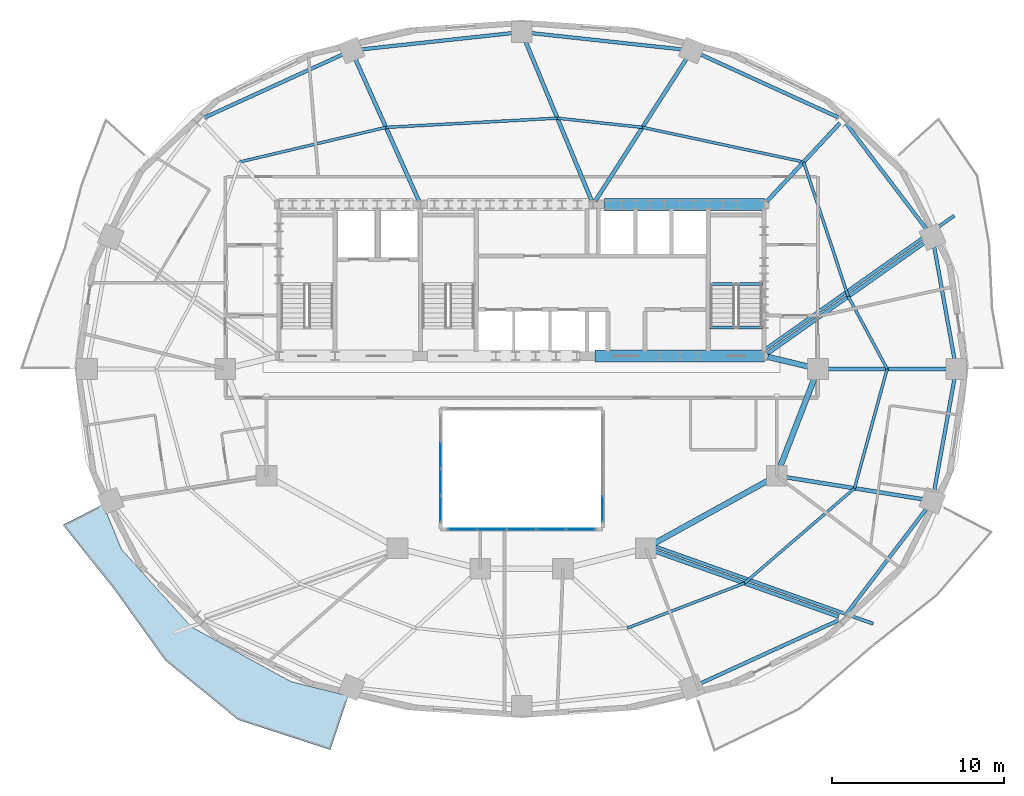
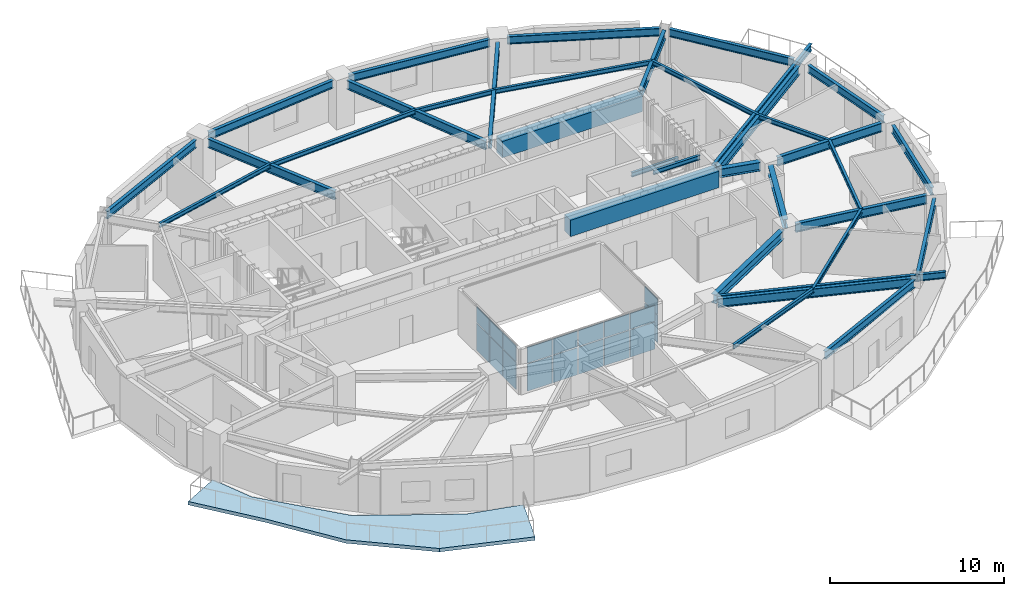
# One storey, part 4 of 12: 35 beams, 18 plates, 1 slab, 3 elements without a shape of their own.
"""IFC4 building model written with IfcOpenShell, lengths in metres."""

from ifc_helpers import new_model, si_unit, direction, frame, origin, origin_2d, place, context, subcontext, project, spatial, polyline, rectangle, i_section, outline, extrude, material, layer, layer_set, material_profile, profile_set, type_object, element, aggregate, save


model = new_model("IFC4")

# Units and contexts
model_context = context("Model", 3, precision=1e-05, world=origin(), true_north=direction((0.0, 1.0)))
body_context = subcontext(model_context, "Body", "Model", "MODEL_VIEW")
ifc_project = project(units=[si_unit("LENGTHUNIT", "METRE"), si_unit("AREAUNIT", "SQUARE_METRE"), si_unit("VOLUMEUNIT", "CUBIC_METRE"), si_unit("PLANEANGLEUNIT", "RADIAN"), si_unit("MASSUNIT", "GRAM", prefix="KILO")], contexts=[model_context])

# Site, building, storey
site_placement = place(None, origin())
site = spatial("IfcSite", under=ifc_project, at=site_placement, CompositionType="ELEMENT")
building_placement = place(site_placement, origin())
building = spatial("IfcBuilding", under=site, at=building_placement, Name="Haldorwick Loom Tower", CompositionType="ELEMENT")
storey_placement = place(building_placement, frame((0.0, 0.0, 161.35009765625)))
storey = spatial("IfcBuildingStorey", under=building, at=storey_placement, Name="L43", CompositionType="ELEMENT", Elevation=161.35009765625)

# Beams
ifc_material_1 = material(Name="Steel CSA G40.21 350W", Category="steel")
ifc_material_profile_1 = material_profile(ifc_material_1, i_section(OverallWidth=0.193115234375, OverallDepth=0.466064453125, WebThickness=0.011474609375, FlangeThickness=0.01904296875, at=origin_2d()), Name="W460X97", Category="steel")
ifc_profile_set_1 = profile_set([ifc_material_profile_1], Name="Steel CSA G40.21 350W")
beam_type_1 = type_object("IfcBeamType", Name="STR-BM-BAL460", PredefinedType="BEAM", material=ifc_profile_set_1)
beam_1_placement = place(storey_placement, frame((43.78369140625, 15.68994140625, 2.976806640625), z_axis=(0.942447955832, -0.334352883266, 0.0), x_axis=(0.334352883266, 0.942447955832, 0.0)))
element("IfcBeam", 1, at=beam_1_placement, inside=storey, type_object=beam_type_1, Name="L43 Continuous Back-Spanned Balcony Beam 1", PredefinedType="BEAM", context=body_context, shape_type="SweptSolid", body=[
    extrude(i_section(OverallWidth=0.193115234375, OverallDepth=0.466064453125, WebThickness=0.011474609375, FlangeThickness=0.01904296875, at=origin_2d()), origin(), (0.0, 0.0, 1.0), 13.385009765625),
])
beam_2_placement = place(storey_placement, frame((50.092041015625, 27.1083984375, 2.976806640625), z_axis=(0.816570288691, 0.577246016554, 0.0), x_axis=(-0.577246016554, 0.816570288691, 0.0)))
element("IfcBeam", 2, at=beam_2_placement, inside=storey, type_object=beam_type_1, Name="L43 Continuous Back-Spanned Balcony Beam 4", PredefinedType="BEAM", context=body_context, shape_type="SweptSolid", body=[
    extrude(i_section(OverallWidth=0.193115234375, OverallDepth=0.466064453125, WebThickness=0.011474609375, FlangeThickness=0.01904296875, at=origin_2d()), origin(), (0.0, 0.0, 1.0), 13.485107421875),
])
ifc_material_2 = material(Name="Concrete C60 (60 MPa)", Category="concrete")
ifc_material_profile_2 = material_profile(ifc_material_2, rectangle(XDim=0.699951171875, YDim=1.14990234375, at=origin_2d()), Name="RC700X1150", Category="concrete")
ifc_profile_set_2 = profile_set([ifc_material_profile_2], Name="Concrete C60 (60 MPa)")
beam_type_2 = type_object("IfcBeamType", Name="STR-BM-CB1150", PredefinedType="LINTEL", material=ifc_profile_set_2)
beam_3_placement = place(storey_placement, frame((40.800048828125, 35.550048828125, 2.635009765625), z_axis=(1.0, 0.0, 0.0), x_axis=(0.0, 1.0, 0.0)))
element("IfcBeam", 3, at=beam_3_placement, inside=storey, type_object=beam_type_2, Name="L43 Core Coupling Beam CB-N3", PredefinedType="LINTEL", context=body_context, shape_type="SweptSolid", body=[
    extrude(rectangle(XDim=0.699951171875, YDim=1.14990234375, at=origin_2d()), origin(), (0.0, 0.0, 1.0), 9.300048828125),
])
beam_4_placement = place(storey_placement, frame((40.25, 26.75, 2.635009765625), z_axis=(1.0, 0.0, 0.0), x_axis=(0.0, 1.0, 0.0)))
element("IfcBeam", 4, at=beam_4_placement, inside=storey, type_object=beam_type_2, Name="L43 Core Coupling Beam CB-S3", PredefinedType="LINTEL", context=body_context, shape_type="SweptSolid", body=[
    extrude(rectangle(XDim=0.699951171875, YDim=1.14990234375, at=origin_2d()), origin(), (0.0, 0.0, 1.0), 9.85009765625),
])
ifc_material_profile_3 = material_profile(ifc_material_1, i_section(OverallWidth=0.166015625, OverallDepth=0.31298828125, WebThickness=0.006591796875, FlangeThickness=0.01123046875, at=origin_2d()), Name="W310X45", Category="steel")
ifc_profile_set_3 = profile_set([ifc_material_profile_3], Name="Steel CSA G40.21 350W")
beam_type_3 = type_object("IfcBeamType", Name="STR-BM-J310", PredefinedType="JOIST", material=ifc_profile_set_3)
beam_5_placement = place(storey_placement, frame((57.20849609375, 26.0, 3.053466796875), z_axis=(-0.472930162238, 0.881099915813, 0.0), x_axis=(-0.881099915813, -0.472930162238, 0.0)))
element("IfcBeam", 5, at=beam_5_placement, inside=storey, type_object=beam_type_3, Name="L43 Mid-Bay Secondary Joist 1", PredefinedType="JOIST", context=body_context, shape_type="SweptSolid", body=[
    extrude(i_section(OverallWidth=0.166015625, OverallDepth=0.31298828125, WebThickness=0.006591796875, FlangeThickness=0.01123046875, at=origin_2d()), origin(), (0.0, 0.0, 1.0), 4.76904296875),
])
beam_6_placement = place(storey_placement, frame((54.953125, 30.201904296875, 3.053466796875), z_axis=(-0.314980632705, 0.949098098734, 0.0), x_axis=(-0.949098098734, -0.314980632705, 0.0)))
element("IfcBeam", 6, at=beam_6_placement, inside=storey, type_object=beam_type_3, Name="L43 Mid-Bay Secondary Joist 2", PredefinedType="JOIST", context=body_context, shape_type="SweptSolid", body=[
    extrude(i_section(OverallWidth=0.166015625, OverallDepth=0.31298828125, WebThickness=0.006591796875, FlangeThickness=0.01123046875, at=origin_2d()), origin(), (0.0, 0.0, 1.0), 8.223876953125),
])
beam_7_placement = place(storey_placement, frame((52.36279296875, 38.007080078125, 3.053466796875), z_axis=(-0.977737366421, 0.209832414808, 0.0), x_axis=(-0.209832414808, -0.977737366421, 0.0)))
element("IfcBeam", 7, at=beam_7_placement, inside=storey, type_object=beam_type_3, Name="L43 Mid-Bay Secondary Joist 3", PredefinedType="JOIST", context=body_context, shape_type="SweptSolid", body=[
    extrude(i_section(OverallWidth=0.166015625, OverallDepth=0.31298828125, WebThickness=0.006591796875, FlangeThickness=0.01123046875, at=origin_2d()), origin(), (0.0, 0.0, 1.0), 9.56396484375),
])
beam_8_placement = place(storey_placement, frame((43.01171875, 40.013916015625, 3.053466796875), z_axis=(-0.994212584227, 0.107430616514, 0.0), x_axis=(-0.107430616514, -0.994212584227, 0.0)))
element("IfcBeam", 8, at=beam_8_placement, inside=storey, type_object=beam_type_3, Name="L43 Mid-Bay Secondary Joist 4", PredefinedType="JOIST", context=body_context, shape_type="SweptSolid", body=[
    extrude(i_section(OverallWidth=0.166015625, OverallDepth=0.31298828125, WebThickness=0.006591796875, FlangeThickness=0.01123046875, at=origin_2d()), origin(), (0.0, 0.0, 1.0), 4.965576171875),
])
beam_9_placement = place(storey_placement, frame((38.074951171875, 40.54736328125, 3.053466796875), z_axis=(-0.998564927415, -0.053554511828, 0.0), x_axis=(0.053554511828, -0.998564927415, 0.0)))
element("IfcBeam", 9, at=beam_9_placement, inside=storey, type_object=beam_type_3, Name="L43 Mid-Bay Secondary Joist 5", PredefinedType="JOIST", context=body_context, shape_type="SweptSolid", body=[
    extrude(i_section(OverallWidth=0.166015625, OverallDepth=0.31298828125, WebThickness=0.006591796875, FlangeThickness=0.01123046875, at=origin_2d()), origin(), (0.0, 0.0, 1.0), 9.9609375),
])
beam_10_placement = place(storey_placement, frame((28.12841796875, 40.013916015625, 3.053466796875), z_axis=(-0.973189168086, -0.230006180612, 0.0), x_axis=(0.230006180612, -0.973189168086, 0.0)))
element("IfcBeam", 10, at=beam_10_placement, inside=storey, type_object=beam_type_3, Name="L43 Mid-Bay Secondary Joist 6", PredefinedType="JOIST", context=body_context, shape_type="SweptSolid", body=[
    extrude(i_section(OverallWidth=0.166015625, OverallDepth=0.31298828125, WebThickness=0.006591796875, FlangeThickness=0.01123046875, at=origin_2d()), origin(), (0.0, 0.0, 1.0), 8.72509765625),
])
beam_11_placement = place(storey_placement, frame((42.13671875, 10.961181640625, 3.053466796875), z_axis=(0.933586737031, 0.358351509609, 0.0), x_axis=(-0.358351509609, 0.933586737031, 0.0)))
element("IfcBeam", 11, at=beam_11_placement, inside=storey, type_object=beam_type_3, Name="L43 Mid-Bay Secondary Joist 14", PredefinedType="JOIST", context=body_context, shape_type="SweptSolid", body=[
    extrude(i_section(OverallWidth=0.166015625, OverallDepth=0.31298828125, WebThickness=0.006591796875, FlangeThickness=0.01123046875, at=origin_2d()), origin(), (0.0, 0.0, 1.0), 7.274169921875),
])
beam_12_placement = place(storey_placement, frame((48.927734375, 13.56787109375, 3.053466796875), z_axis=(0.75763401328, 0.652679631918, 0.0), x_axis=(-0.652679631918, 0.75763401328, 0.0)))
element("IfcBeam", 12, at=beam_12_placement, inside=storey, type_object=beam_type_3, Name="L43 Mid-Bay Secondary Joist 15", PredefinedType="JOIST", context=body_context, shape_type="SweptSolid", body=[
    extrude(i_section(OverallWidth=0.166015625, OverallDepth=0.31298828125, WebThickness=0.006591796875, FlangeThickness=0.01123046875, at=origin_2d()), origin(), (0.0, 0.0, 1.0), 8.4345703125),
])
beam_13_placement = place(storey_placement, frame((55.318115234375, 19.072998046875, 3.053466796875), z_axis=(0.263272762578, 0.964721437766, 0.0), x_axis=(-0.964721437766, 0.263272762578, 0.0)))
element("IfcBeam", 13, at=beam_13_placement, inside=storey, type_object=beam_type_3, Name="L43 Mid-Bay Secondary Joist 16", PredefinedType="JOIST", context=body_context, shape_type="SweptSolid", body=[
    extrude(i_section(OverallWidth=0.166015625, OverallDepth=0.31298828125, WebThickness=0.006591796875, FlangeThickness=0.01123046875, at=origin_2d()), origin(), (0.0, 0.0, 1.0), 7.180419921875),
])
ifc_material_profile_4 = material_profile(ifc_material_1, i_section(OverallWidth=0.2119140625, OverallDepth=0.5439453125, WebThickness=0.01318359375, FlangeThickness=0.021240234375, at=origin_2d()), Name="W530X123", Category="steel")
ifc_profile_set_4 = profile_set([ifc_material_profile_4], Name="Steel CSA G40.21 350W")
beam_type_4 = type_object("IfcBeamType", Name="STR-BM-SP530", PredefinedType="SPANDREL", material=ifc_profile_set_4)
beam_14_placement = place(storey_placement, frame((61.124755859375, 26.51171875, 2.93798828125), z_axis=(-0.177558730702, 0.984110205796, 0.0), x_axis=(-0.984110205796, -0.177558730702, 0.0)))
element("IfcBeam", 14, at=beam_14_placement, inside=storey, type_object=beam_type_4, Name="L43 Perimeter Spandrel 1", PredefinedType="SPANDREL", context=body_context, shape_type="SweptSolid", body=[
    extrude(i_section(OverallWidth=0.2119140625, OverallDepth=0.5439453125, WebThickness=0.01318359375, FlangeThickness=0.021240234375, at=origin_2d()), origin(), (0.0, 0.0, 1.0), 6.737548828125),
])
beam_15_placement = place(storey_placement, frame((59.521240234375, 34.067626953125, 2.93798828125), z_axis=(-0.605421356486, 0.795905133236, 0.0), x_axis=(-0.795905133236, -0.605421356486, 0.0)))
element("IfcBeam", 15, at=beam_15_placement, inside=storey, type_object=beam_type_4, Name="L43 Perimeter Spandrel 2", PredefinedType="SPANDREL", context=body_context, shape_type="SweptSolid", body=[
    extrude(i_section(OverallWidth=0.2119140625, OverallDepth=0.5439453125, WebThickness=0.01318359375, FlangeThickness=0.021240234375, at=origin_2d()), origin(), (0.0, 0.0, 1.0), 7.761962890625),
])
beam_16_placement = place(storey_placement, frame((54.405517578125, 40.57861328125, 2.93798828125), z_axis=(-0.909534296496, 0.415628877121, 0.0), x_axis=(-0.415628877121, -0.909534296496, 0.0)))
element("IfcBeam", 16, at=beam_16_placement, inside=storey, type_object=beam_type_4, Name="L43 Perimeter Spandrel 3", PredefinedType="SPANDREL", context=body_context, shape_type="SweptSolid", body=[
    extrude(i_section(OverallWidth=0.2119140625, OverallDepth=0.5439453125, WebThickness=0.01318359375, FlangeThickness=0.021240234375, at=origin_2d()), origin(), (0.0, 0.0, 1.0), 8.86083984375),
])
for number, where, z_axis, x_axis, name in (
    (17, (45.356201171875, 44.533447265625, 2.93798828125), (-0.994210140187, 0.107453232386, 0.0), (-0.107453232386, -0.994210140187, 0.0), "L43 Perimeter Spandrel 4"),
    (18, (35.48291015625, 45.48876953125, 2.93798828125), (-0.994210140187, -0.107453232386, 0.0), (0.107453232386, -0.994210140187, 0.0), "L43 Perimeter Spandrel 5"),
):
    element("IfcBeam", number, at=place(storey_placement, frame(where, z_axis=z_axis, x_axis=x_axis)), inside=storey, type_object=beam_type_4, Name=name, PredefinedType="SPANDREL", context=body_context, shape_type="SweptSolid", body=[
        extrude(i_section(OverallWidth=0.2119140625, OverallDepth=0.5439453125, WebThickness=0.01318359375, FlangeThickness=0.021240234375, at=origin_2d()), origin(), (0.0, 0.0, 1.0), 8.890625),
    ])
for number, where, z_axis, x_axis, name in (
    (19, (25.65380859375, 44.261474609375, 2.93798828125), (-0.909534296496, -0.415628877121, 0.0), (0.415628877121, -0.909534296496, 0.0), "L43 Perimeter Spandrel 6"),
    (20, (46.34619140625, 7.738525390625, 2.93798828125), (0.909534296496, 0.415628877121, 0.0), (-0.415628877121, 0.909534296496, 0.0), "L43 Perimeter Spandrel 14"),
):
    element("IfcBeam", number, at=place(storey_placement, frame(where, z_axis=z_axis, x_axis=x_axis)), inside=storey, type_object=beam_type_4, Name=name, PredefinedType="SPANDREL", context=body_context, shape_type="SweptSolid", body=[
        extrude(i_section(OverallWidth=0.2119140625, OverallDepth=0.5439453125, WebThickness=0.01318359375, FlangeThickness=0.021240234375, at=origin_2d()), origin(), (0.0, 0.0, 1.0), 8.86083984375),
    ])
beam_17_placement = place(storey_placement, frame((54.822021484375, 11.754638671875, 2.93798828125), z_axis=(0.605421356486, 0.795905133236, 0.0), x_axis=(-0.795905133236, 0.605421356486, 0.0)))
element("IfcBeam", 21, at=beam_17_placement, inside=storey, type_object=beam_type_4, Name="L43 Perimeter Spandrel 15", PredefinedType="SPANDREL", context=body_context, shape_type="SweptSolid", body=[
    extrude(i_section(OverallWidth=0.2119140625, OverallDepth=0.5439453125, WebThickness=0.01318359375, FlangeThickness=0.021240234375, at=origin_2d()), origin(), (0.0, 0.0, 1.0), 7.761962890625),
])
beam_18_placement = place(storey_placement, frame((59.928466796875, 18.85791015625, 2.93798828125), z_axis=(0.177558730702, 0.984110205796, 0.0), x_axis=(-0.984110205796, 0.177558730702, 0.0)))
element("IfcBeam", 22, at=beam_18_placement, inside=storey, type_object=beam_type_4, Name="L43 Perimeter Spandrel 16", PredefinedType="SPANDREL", context=body_context, shape_type="SweptSolid", body=[
    extrude(i_section(OverallWidth=0.2119140625, OverallDepth=0.5439453125, WebThickness=0.01318359375, FlangeThickness=0.021240234375, at=origin_2d()), origin(), (0.0, 0.0, 1.0), 6.737548828125),
])
ifc_material_profile_5 = material_profile(ifc_material_1, i_section(OverallWidth=0.166015625, OverallDepth=0.31298828125, WebThickness=0.006591796875, FlangeThickness=0.01123046875, at=origin_2d()), Name="W310X45", Category="steel")
ifc_profile_set_5 = profile_set([ifc_material_profile_5], Name="Steel CSA G40.21 350W")
beam_type_5 = type_object("IfcBeamType", Name="STR-BM-STRM", PredefinedType="BEAM", material=ifc_profile_set_5)
for number, where, z_axis, x_axis, name in (
    (23, (46.889892578125, 28.39990234375, 3.053466796875), (1.0, 0.0, 0.0), (0.0, 1.0, 0.0), "L43 Stair ST-02 Landing Edge Trimmer"),
    (24, (46.889892578125, 30.919921875, 1.368408203125), (1.0, 0.0, 0.0), (0.0, 1.0, 0.0), "L43 Stair ST-02 Half-Landing Trimmer 1"),
):
    element("IfcBeam", number, at=place(storey_placement, frame(where, z_axis=z_axis, x_axis=x_axis)), inside=storey, type_object=beam_type_5, Name=name, PredefinedType="BEAM", context=body_context, shape_type="SweptSolid", body=[
        extrude(i_section(OverallWidth=0.166015625, OverallDepth=0.31298828125, WebThickness=0.006591796875, FlangeThickness=0.01123046875, at=origin_2d()), origin(), (0.0, 0.0, 1.0), 3.1201171875),
    ])
ifc_material_profile_6 = material_profile(ifc_material_1, i_section(OverallWidth=0.324951171875, OverallDepth=0.615966796875, WebThickness=0.013916015625, FlangeThickness=0.021484375, at=origin_2d()), Name="W610X174", Category="steel")
ifc_profile_set_6 = profile_set([ifc_material_profile_6], Name="Steel CSA G40.21 350W")
beam_type_6 = type_object("IfcBeamType", Name="STR-BM-W610A", PredefinedType="BEAM", material=ifc_profile_set_6)
beam_19_placement = place(storey_placement, frame((50.288818359375, 26.697509765625, 2.90185546875), z_axis=(0.97247055837, -0.233025777764, 0.0), x_axis=(0.233025777764, 0.97247055837, 0.0)))
element("IfcBeam", 25, at=beam_19_placement, inside=storey, type_object=beam_type_6, Name="L43 Inner Ring Girder 1", PredefinedType="BEAM", context=body_context, shape_type="SweptSolid", body=[
    extrude(i_section(OverallWidth=0.324951171875, OverallDepth=0.615966796875, WebThickness=0.013916015625, FlangeThickness=0.021484375, at=origin_2d()), origin(), (0.0, 0.0, 1.0), 2.4736328125),
])
beam_20_placement = place(storey_placement, frame((53.01220703125, 25.51513671875, 2.90185546875), z_axis=(-0.360964792353, -0.93257944363, 0.0), x_axis=(0.93257944363, -0.360964792353, 0.0)))
element("IfcBeam", 26, at=beam_20_placement, inside=storey, type_object=beam_type_6, Name="L43 Inner Ring Girder 2", PredefinedType="BEAM", context=body_context, shape_type="SweptSolid", body=[
    extrude(i_section(OverallWidth=0.324951171875, OverallDepth=0.615966796875, WebThickness=0.013916015625, FlangeThickness=0.021484375, at=origin_2d()), origin(), (0.0, 0.0, 1.0), 5.6083984375),
])
beam_21_placement = place(storey_placement, frame((50.344970703125, 19.548583984375, 2.90185546875), z_axis=(-0.875244382146, -0.483680960471, 0.0), x_axis=(0.483680960471, -0.875244382146, 0.0)))
element("IfcBeam", 27, at=beam_21_placement, inside=storey, type_object=beam_type_6, Name="L43 Inner Ring Girder 3", PredefinedType="BEAM", context=body_context, shape_type="SweptSolid", body=[
    extrude(i_section(OverallWidth=0.324951171875, OverallDepth=0.615966796875, WebThickness=0.013916015625, FlangeThickness=0.021484375, at=origin_2d()), origin(), (0.0, 0.0, 1.0), 7.6435546875),
])
ifc_material_profile_7 = material_profile(ifc_material_1, i_section(OverallWidth=0.22998046875, OverallDepth=0.616943359375, WebThickness=0.01318359375, FlangeThickness=0.022216796875, at=origin_2d()), Name="W610X140", Category="steel")
ifc_profile_set_7 = profile_set([ifc_material_profile_7], Name="Steel CSA G40.21 350W")
beam_type_7 = type_object("IfcBeamType", Name="STR-BM-W610B", PredefinedType="BEAM", material=ifc_profile_set_7)
beam_22_placement = place(storey_placement, frame((53.719970703125, 26.0, 2.9013671875), z_axis=(1.0, 0.0, 0.0), x_axis=(0.0, 1.0, 0.0)))
element("IfcBeam", 28, at=beam_22_placement, inside=storey, type_object=beam_type_7, Name="L43 Radial Floor Girder 1", PredefinedType="BEAM", context=body_context, shape_type="SweptSolid", body=[
    extrude(i_section(OverallWidth=0.22998046875, OverallDepth=0.616943359375, WebThickness=0.01318359375, FlangeThickness=0.022216796875, at=origin_2d()), origin(), (0.0, 0.0, 1.0), 6.97705078125),
])
beam_23_placement = place(storey_placement, frame((50.253662109375, 26.8798828125, 2.9013671875), z_axis=(0.816581567299, 0.577230061542, 0.0), x_axis=(-0.577230061542, 0.816581567299, 0.0)))
element("IfcBeam", 29, at=beam_23_placement, inside=storey, type_object=beam_type_7, Name="L43 Radial Floor Girder 2", PredefinedType="BEAM", context=body_context, shape_type="SweptSolid", body=[
    extrude(i_section(OverallWidth=0.22998046875, OverallDepth=0.616943359375, WebThickness=0.01318359375, FlangeThickness=0.022216796875, at=origin_2d()), origin(), (0.0, 0.0, 1.0), 11.215087890625),
])
beam_24_placement = place(storey_placement, frame((50.223388671875, 35.714599609375, 2.9013671875), z_axis=(0.682256728841, 0.731112683484, 0.0), x_axis=(-0.731112683484, 0.682256728841, 0.0)))
element("IfcBeam", 30, at=beam_24_placement, inside=storey, type_object=beam_type_7, Name="L43 Radial Floor Girder 3", PredefinedType="BEAM", context=body_context, shape_type="SweptSolid", body=[
    extrude(i_section(OverallWidth=0.22998046875, OverallDepth=0.616943359375, WebThickness=0.01318359375, FlangeThickness=0.022216796875, at=origin_2d()), origin(), (0.0, 0.0, 1.0), 6.221435546875),
])
beam_25_placement = place(storey_placement, frame((40.271484375, 35.739501953125, 2.9013671875), z_axis=(0.53969086509, 0.841863272829, 0.0), x_axis=(-0.841863272829, 0.53969086509, 0.0)))
element("IfcBeam", 31, at=beam_25_placement, inside=storey, type_object=beam_type_7, Name="L43 Radial Floor Girder 4", PredefinedType="BEAM", context=body_context, shape_type="SweptSolid", body=[
    extrude(i_section(OverallWidth=0.22998046875, OverallDepth=0.616943359375, WebThickness=0.01318359375, FlangeThickness=0.022216796875, at=origin_2d()), origin(), (0.0, 0.0, 1.0), 9.859375),
])
beam_26_placement = place(storey_placement, frame((40.063720703125, 35.7578125, 2.9013671875), z_axis=(-0.383472813848, 0.923552164764, 0.0), x_axis=(-0.923552164764, -0.383472813848, 0.0)))
element("IfcBeam", 32, at=beam_26_placement, inside=storey, type_object=beam_type_7, Name="L43 Radial Floor Girder 5", PredefinedType="BEAM", context=body_context, shape_type="SweptSolid", body=[
    extrude(i_section(OverallWidth=0.22998046875, OverallDepth=0.616943359375, WebThickness=0.01318359375, FlangeThickness=0.022216796875, at=origin_2d()), origin(), (0.0, 0.0, 1.0), 10.076904296875),
])
beam_27_placement = place(storey_placement, frame((30.037841796875, 35.75537109375, 2.9013671875), z_axis=(-0.409143536778, 0.912470035844, 0.0), x_axis=(-0.912470035844, -0.409143536778, 0.0)))
element("IfcBeam", 33, at=beam_27_placement, inside=storey, type_object=beam_type_7, Name="L43 Radial Floor Girder 6", PredefinedType="BEAM", context=body_context, shape_type="SweptSolid", body=[
    extrude(i_section(OverallWidth=0.22998046875, OverallDepth=0.616943359375, WebThickness=0.01318359375, FlangeThickness=0.022216796875, at=origin_2d()), origin(), (0.0, 0.0, 1.0), 9.0390625),
])
beam_28_placement = place(storey_placement, frame((43.690185546875, 15.426025390625, 2.9013671875), z_axis=(0.9424463153, -0.334357507433, 0.0), x_axis=(0.334357507433, 0.9424463153, 0.0)))
element("IfcBeam", 34, at=beam_28_placement, inside=storey, type_object=beam_type_7, Name="L43 Radial Floor Girder 15", PredefinedType="BEAM", context=body_context, shape_type="SweptSolid", body=[
    extrude(i_section(OverallWidth=0.22998046875, OverallDepth=0.616943359375, WebThickness=0.01318359375, FlangeThickness=0.022216796875, at=origin_2d()), origin(), (0.0, 0.0, 1.0), 11.360107421875),
])
beam_29_placement = place(storey_placement, frame((51.3134765625, 19.71728515625, 2.9013671875), z_axis=(0.987308639475, -0.158813256432, 0.0), x_axis=(0.158813256432, 0.987308639475, 0.0)))
element("IfcBeam", 35, at=beam_29_placement, inside=storey, type_object=beam_type_7, Name="L43 Radial Floor Girder 16", PredefinedType="BEAM", context=body_context, shape_type="SweptSolid", body=[
    extrude(i_section(OverallWidth=0.22998046875, OverallDepth=0.616943359375, WebThickness=0.01318359375, FlangeThickness=0.022216796875, at=origin_2d()), origin(), (0.0, 0.0, 1.0), 8.1123046875),
])

# Curtain wall, plates
ifc_material_3 = material(Name="Thermally Broken Anodized Aluminium Curtain Wall Framing", Category="aluminium")
curtain_wall_type = type_object("IfcCurtainWallType", Name="ARC-CW-03", PredefinedType="NOTDEFINED", material=ifc_material_3)
curtain_wall_1_placement = place(storey_placement, origin())
curtain_wall_1 = element("IfcCurtainWall", 36, at=curtain_wall_1_placement, inside=storey, type_object=curtain_wall_type, Name="L43 Atrium Glazed Screen S", PredefinedType="NOTDEFINED")
ifc_material_4 = material(Name="Triple-Glazed Low-E Argon Insulated Glazing Unit", Category="glass")
ifc_layer_1 = layer(ifc_material_4, 0.04296875, Name="Triple-Glazed Low-E Argon Insulated Glazing Unit", Category="glass")
ifc_layer_set_1 = layer_set([ifc_layer_1], Name="Triple-Glazed Low-E Argon Insulated Glazing Unit")
plate_type = type_object("IfcPlateType", Name="ARC-CWP-03", PredefinedType="CURTAIN_PANEL", material=ifc_layer_set_1)
plate_1_placement = place(storey_placement, frame((39.423583984375, 16.699951171875, 0.06591796875), z_axis=(0.0, 0.0, 1.0), x_axis=(-1.0, 0.0, 0.0)))
plate_1 = element("IfcPlate", 37, at=plate_1_placement, type_object=plate_type, Name="CW-03 panel 1.1", PredefinedType="CURTAIN_PANEL", context=body_context, shape_type="SweptSolid", body=[
    extrude(rectangle(XDim=1.62109375, YDim=0.04296875, at=origin_2d()), origin(), (0.0, 0.0, 1.0), 1.90087890625),
])
plate_2_placement = place(storey_placement, frame((39.423583984375, 16.699951171875, 2.03271484375), z_axis=(0.0, 0.0, 1.0), x_axis=(-1.0, 0.0, 0.0)))
plate_2 = element("IfcPlate", 38, at=plate_2_placement, type_object=plate_type, Name="CW-03 panel 1.2", PredefinedType="CURTAIN_PANEL", context=body_context, shape_type="SweptSolid", body=[
    extrude(rectangle(XDim=1.62109375, YDim=0.04296875, at=origin_2d()), origin(), (0.0, 0.0, 1.0), 1.111083984375),
])
plate_3_placement = place(storey_placement, frame((37.719970703125, 16.699951171875, 0.06591796875), z_axis=(0.0, 0.0, 1.0), x_axis=(-1.0, 0.0, 0.0)))
plate_3 = element("IfcPlate", 39, at=plate_3_placement, type_object=plate_type, Name="CW-03 panel 2.1", PredefinedType="CURTAIN_PANEL", context=body_context, shape_type="SweptSolid", body=[
    extrude(rectangle(XDim=1.654052734375, YDim=0.04296875, at=origin_2d()), origin(), (0.0, 0.0, 1.0), 1.90087890625),
])
plate_4_placement = place(storey_placement, frame((37.719970703125, 16.699951171875, 2.03271484375), z_axis=(0.0, 0.0, 1.0), x_axis=(-1.0, 0.0, 0.0)))
plate_4 = element("IfcPlate", 40, at=plate_4_placement, type_object=plate_type, Name="CW-03 panel 2.2", PredefinedType="CURTAIN_PANEL", context=body_context, shape_type="SweptSolid", body=[
    extrude(rectangle(XDim=1.654052734375, YDim=0.04296875, at=origin_2d()), origin(), (0.0, 0.0, 1.0), 1.111083984375),
])
plate_5_placement = place(storey_placement, frame((36.0, 16.699951171875, 0.06591796875), z_axis=(0.0, 0.0, 1.0), x_axis=(-1.0, 0.0, 0.0)))
plate_5 = element("IfcPlate", 41, at=plate_5_placement, type_object=plate_type, Name="CW-03 panel 3.1", PredefinedType="CURTAIN_PANEL", context=body_context, shape_type="SweptSolid", body=[
    extrude(rectangle(XDim=1.654052734375, YDim=0.04296875, at=origin_2d()), origin(), (0.0, 0.0, 1.0), 1.90087890625),
])
plate_6_placement = place(storey_placement, frame((36.0, 16.699951171875, 2.03271484375), z_axis=(0.0, 0.0, 1.0), x_axis=(-1.0, 0.0, 0.0)))
plate_6 = element("IfcPlate", 42, at=plate_6_placement, type_object=plate_type, Name="CW-03 panel 3.2", PredefinedType="CURTAIN_PANEL", context=body_context, shape_type="SweptSolid", body=[
    extrude(rectangle(XDim=1.654052734375, YDim=0.04296875, at=origin_2d()), origin(), (0.0, 0.0, 1.0), 1.111083984375),
])
plate_7_placement = place(storey_placement, frame((34.280029296875, 16.699951171875, 0.06591796875), z_axis=(0.0, 0.0, 1.0), x_axis=(-1.0, 0.0, 0.0)))
plate_7 = element("IfcPlate", 43, at=plate_7_placement, type_object=plate_type, Name="CW-03 panel 4.1", PredefinedType="CURTAIN_PANEL", context=body_context, shape_type="SweptSolid", body=[
    extrude(rectangle(XDim=1.654052734375, YDim=0.04296875, at=origin_2d()), origin(), (0.0, 0.0, 1.0), 1.90087890625),
])
plate_8_placement = place(storey_placement, frame((34.280029296875, 16.699951171875, 2.03271484375), z_axis=(0.0, 0.0, 1.0), x_axis=(-1.0, 0.0, 0.0)))
plate_8 = element("IfcPlate", 44, at=plate_8_placement, type_object=plate_type, Name="CW-03 panel 4.2", PredefinedType="CURTAIN_PANEL", context=body_context, shape_type="SweptSolid", body=[
    extrude(rectangle(XDim=1.654052734375, YDim=0.04296875, at=origin_2d()), origin(), (0.0, 0.0, 1.0), 1.111083984375),
])
plate_9_placement = place(storey_placement, frame((32.576416015625, 16.699951171875, 0.06591796875), z_axis=(0.0, 0.0, 1.0), x_axis=(-1.0, 0.0, 0.0)))
plate_9 = element("IfcPlate", 45, at=plate_9_placement, type_object=plate_type, Name="CW-03 panel 5.1", PredefinedType="CURTAIN_PANEL", context=body_context, shape_type="SweptSolid", body=[
    extrude(rectangle(XDim=1.62109375, YDim=0.04296875, at=origin_2d()), origin(), (0.0, 0.0, 1.0), 1.90087890625),
])
plate_10_placement = place(storey_placement, frame((32.576416015625, 16.699951171875, 2.03271484375), z_axis=(0.0, 0.0, 1.0), x_axis=(-1.0, 0.0, 0.0)))
plate_10 = element("IfcPlate", 46, at=plate_10_placement, type_object=plate_type, Name="CW-03 panel 5.2", PredefinedType="CURTAIN_PANEL", context=body_context, shape_type="SweptSolid", body=[
    extrude(rectangle(XDim=1.62109375, YDim=0.04296875, at=origin_2d()), origin(), (0.0, 0.0, 1.0), 1.111083984375),
])
aggregate(curtain_wall_1, [plate_1, plate_2, plate_3, plate_4, plate_5, plate_6, plate_7, plate_8, plate_9, plate_10])

curtain_wall_2_placement = place(storey_placement, origin())
curtain_wall_2 = element("IfcCurtainWall", 47, at=curtain_wall_2_placement, inside=storey, type_object=curtain_wall_type, Name="L43 Atrium Glazed Screen W", PredefinedType="NOTDEFINED")
plate_11_placement = place(storey_placement, frame((31.300048828125, 17.8916015625, 0.06591796875), z_axis=(0.0, 0.0, 1.0), x_axis=(0.0, 1.0, 0.0)))
plate_11 = element("IfcPlate", 48, at=plate_11_placement, type_object=plate_type, Name="CW-03 panel 1.1", PredefinedType="CURTAIN_PANEL", context=body_context, shape_type="SweptSolid", body=[
    extrude(rectangle(XDim=1.450927734375, YDim=0.04296875, at=origin_2d()), origin(), (0.0, 0.0, 1.0), 1.90087890625),
])
plate_12_placement = place(storey_placement, frame((31.300048828125, 17.8916015625, 2.03271484375), z_axis=(0.0, 0.0, 1.0), x_axis=(0.0, 1.0, 0.0)))
plate_12 = element("IfcPlate", 49, at=plate_12_placement, type_object=plate_type, Name="CW-03 panel 1.2", PredefinedType="CURTAIN_PANEL", context=body_context, shape_type="SweptSolid", body=[
    extrude(rectangle(XDim=1.450927734375, YDim=0.04296875, at=origin_2d()), origin(), (0.0, 0.0, 1.0), 1.111083984375),
])
plate_13_placement = place(storey_placement, frame((31.300048828125, 19.425048828125, 0.06591796875), z_axis=(0.0, 0.0, 1.0), x_axis=(0.0, 1.0, 0.0)))
plate_13 = element("IfcPlate", 50, at=plate_13_placement, type_object=plate_type, Name="CW-03 panel 2.1", PredefinedType="CURTAIN_PANEL", context=body_context, shape_type="SweptSolid", body=[
    extrude(rectangle(XDim=1.48388671875, YDim=0.04296875, at=origin_2d()), origin(), (0.0, 0.0, 1.0), 1.90087890625),
])
plate_14_placement = place(storey_placement, frame((31.300048828125, 19.425048828125, 2.03271484375), z_axis=(0.0, 0.0, 1.0), x_axis=(0.0, 1.0, 0.0)))
plate_14 = element("IfcPlate", 51, at=plate_14_placement, type_object=plate_type, Name="CW-03 panel 2.2", PredefinedType="CURTAIN_PANEL", context=body_context, shape_type="SweptSolid", body=[
    extrude(rectangle(XDim=1.48388671875, YDim=0.04296875, at=origin_2d()), origin(), (0.0, 0.0, 1.0), 1.111083984375),
])
plate_15_placement = place(storey_placement, frame((31.300048828125, 20.97509765625, 0.06591796875), z_axis=(0.0, 0.0, 1.0), x_axis=(0.0, 1.0, 0.0)))
plate_15 = element("IfcPlate", 52, at=plate_15_placement, type_object=plate_type, Name="CW-03 panel 3.1", PredefinedType="CURTAIN_PANEL", context=body_context, shape_type="SweptSolid", body=[
    extrude(rectangle(XDim=1.48388671875, YDim=0.04296875, at=origin_2d()), origin(), (0.0, 0.0, 1.0), 1.90087890625),
])
plate_16_placement = place(storey_placement, frame((31.300048828125, 20.97509765625, 2.03271484375), z_axis=(0.0, 0.0, 1.0), x_axis=(0.0, 1.0, 0.0)))
plate_16 = element("IfcPlate", 53, at=plate_16_placement, type_object=plate_type, Name="CW-03 panel 3.2", PredefinedType="CURTAIN_PANEL", context=body_context, shape_type="SweptSolid", body=[
    extrude(rectangle(XDim=1.48388671875, YDim=0.04296875, at=origin_2d()), origin(), (0.0, 0.0, 1.0), 1.111083984375),
])
aggregate(curtain_wall_2, [plate_11, plate_12, plate_13, plate_14, plate_15, plate_16])

curtain_wall_3_placement = place(storey_placement, origin())
curtain_wall_3 = element("IfcCurtainWall", 54, at=curtain_wall_3_placement, inside=storey, type_object=curtain_wall_type, Name="L43 Atrium Glazed Screen E", PredefinedType="NOTDEFINED")
plate_17_placement = place(storey_placement, frame((40.699951171875, 17.8916015625, 0.06591796875), z_axis=(0.0, 0.0, 1.0), x_axis=(0.0, -1.0, 0.0)))
plate_17 = element("IfcPlate", 55, at=plate_17_placement, type_object=plate_type, Name="CW-03 panel 4.1", PredefinedType="CURTAIN_PANEL", context=body_context, shape_type="SweptSolid", body=[
    extrude(rectangle(XDim=1.450927734375, YDim=0.04296875, at=origin_2d()), origin(), (0.0, 0.0, 1.0), 1.90087890625),
])
plate_18_placement = place(storey_placement, frame((40.699951171875, 17.8916015625, 2.03271484375), z_axis=(0.0, 0.0, 1.0), x_axis=(0.0, -1.0, 0.0)))
plate_18 = element("IfcPlate", 56, at=plate_18_placement, type_object=plate_type, Name="CW-03 panel 4.2", PredefinedType="CURTAIN_PANEL", context=body_context, shape_type="SweptSolid", body=[
    extrude(rectangle(XDim=1.450927734375, YDim=0.04296875, at=origin_2d()), origin(), (0.0, 0.0, 1.0), 1.111083984375),
])
aggregate(curtain_wall_3, [plate_17, plate_18])

# Slab
ifc_material_5 = material(Name="Concrete C40 (40 MPa)", Category="concrete")
ifc_layer_2 = layer(ifc_material_5, 0.239990234375, Name="Concrete C40 (40 MPa)", Category="concrete")
ifc_layer_set_2 = layer_set([ifc_layer_2], Name="Concrete C40 (40 MPa)")
slab_type = type_object("IfcSlabType", Name="STR-SLB-BAL240", PredefinedType="FLOOR", material=ifc_layer_set_2)
slab_placement = place(storey_placement, frame((0.0, 0.0, -0.239990234375)))
element("IfcSlab", 57, at=slab_placement, inside=storey, type_object=slab_type, Name="L43 Sinusoidal Balcony Terrace BAL_SW", PredefinedType="FLOOR", context=body_context, shape_type="SweptSolid", body=[
    extrude(outline(polyline([(25.94091796875, 7.027587890625), (22.6005859375, 7.861572265625), (22.599365234375, 7.86181640625), (22.59814453125, 7.8623046875), (22.596923828125, 7.863037109375), (16.84228515625, 11.02783203125), (16.8408203125, 11.028564453125), (16.83935546875, 11.02978515625), (16.83837890625, 11.031005859375), (12.786865234375, 15.526123046875), (12.785888671875, 15.527099609375), (12.78515625, 15.528076171875), (12.78466796875, 15.529296875), (12.783935546875, 15.530517578125), (11.715576171875, 18.14208984375), (9.3896484375, 16.9501953125), (12.34619140625, 13.228271484375), (15.322021484375, 9.08544921875), (19.544677734375, 5.6396484375), (24.896484375, 3.901123046875), (25.94091796875, 7.027587890625)])), origin(), (0.0, 0.0, 1.0), 0.239990234375),
])

save(model, "model.ifc")
